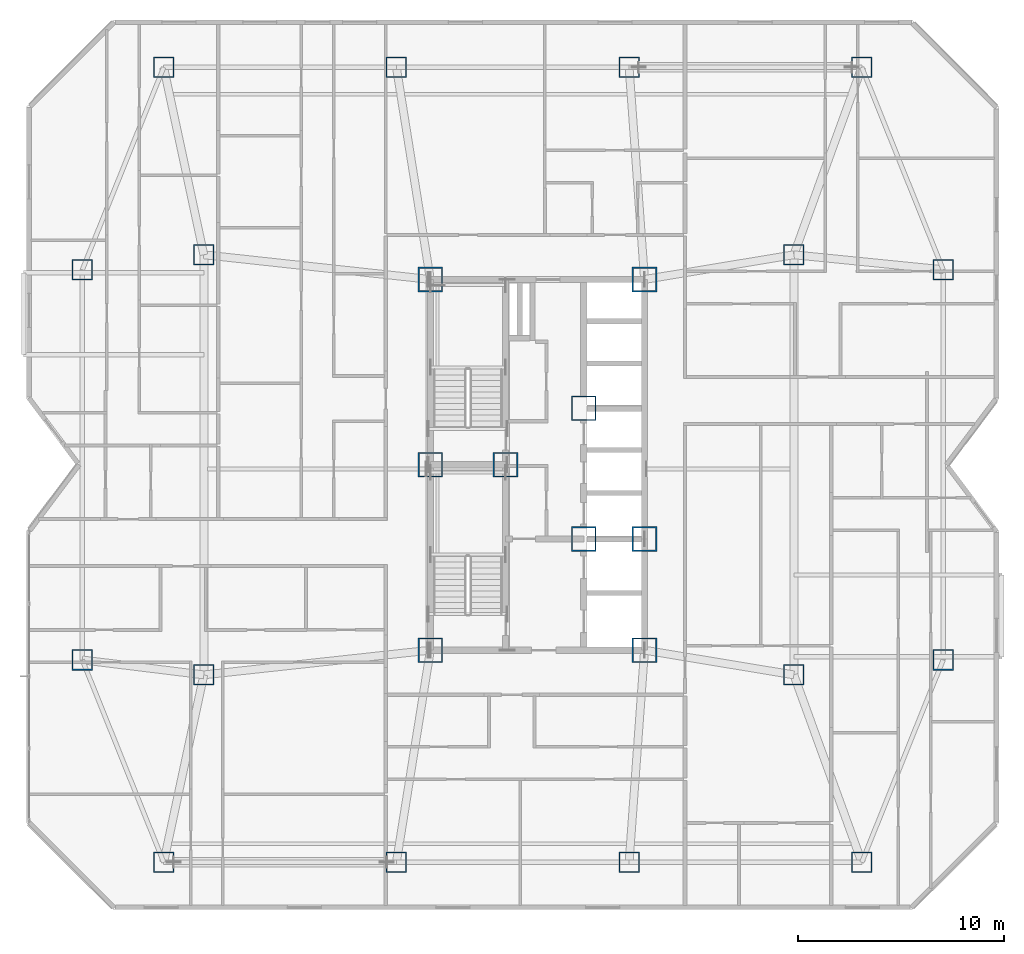
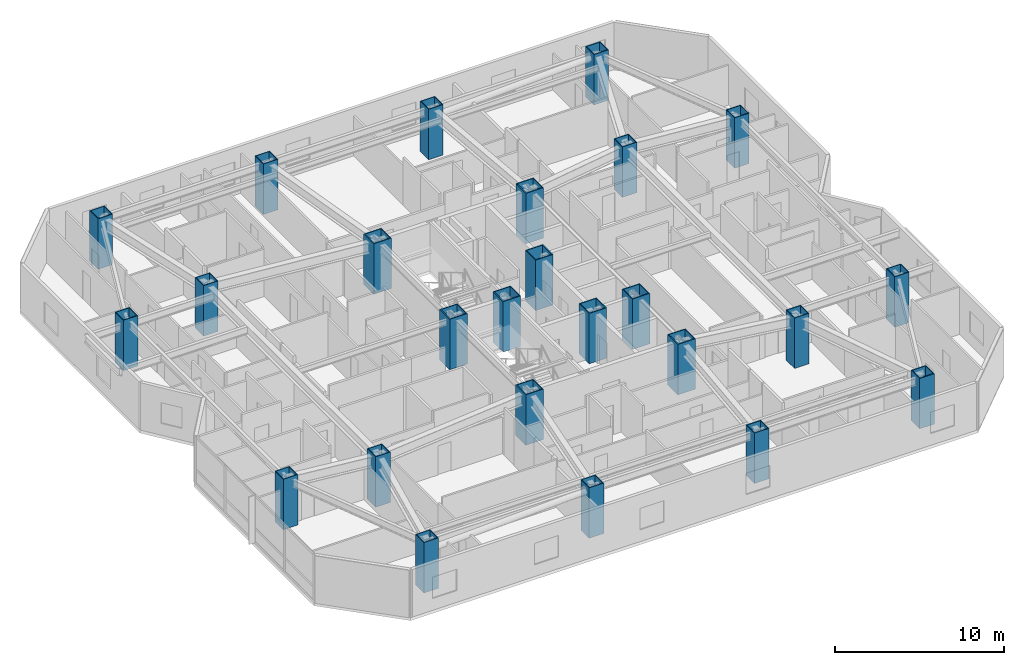
# One storey, part 1 of 19: 25 columns.
"""IFC4 building model written with IfcOpenShell, lengths in metres."""

from ifc_helpers import new_model, si_unit, direction, frame, origin, origin_2d, place, context, subcontext, project, spatial, hollow_rectangle, extrude, material, material_profile, profile_set, type_object, element, save


model = new_model("IFC4")

# Units and contexts
model_context = context("Model", 3, precision=1e-05, world=origin(), true_north=direction((0.0, 1.0)))
body_context = subcontext(model_context, "Body", "Model", "MODEL_VIEW")
ifc_project = project(units=[si_unit("LENGTHUNIT", "METRE"), si_unit("AREAUNIT", "SQUARE_METRE"), si_unit("VOLUMEUNIT", "CUBIC_METRE"), si_unit("PLANEANGLEUNIT", "RADIAN"), si_unit("MASSUNIT", "GRAM", prefix="KILO")], contexts=[model_context])

# Site, building, storey
site_placement = place(None, origin())
site = spatial("IfcSite", under=ifc_project, at=site_placement, CompositionType="ELEMENT")
building_placement = place(site_placement, origin())
building = spatial("IfcBuilding", under=site, at=building_placement, Name="Khamvora Tower", CompositionType="ELEMENT")
storey_placement = place(building_placement, frame((0.0, 0.0, 120.14990234375)))
storey = spatial("IfcBuildingStorey", under=building, at=storey_placement, Name="L30", CompositionType="ELEMENT", Elevation=120.14990234375)

# Columns
ifc_material_1 = material(Name="Steel S355", Category="steel")
ifc_material_profile_1 = material_profile(ifc_material_1, hollow_rectangle(XDim=1.0, YDim=1.0, WallThickness=0.050048828125, at=origin_2d()), Name="BOX1000x1000x50")
ifc_profile_set_1 = profile_set([ifc_material_profile_1], Name="Steel S355")
column_type_1 = type_object("IfcColumnType", Name="COL-BOX1000", PredefinedType="COLUMN", material=ifc_profile_set_1)
for number, where, z_axis, x_axis, name in (
    (1, (16.050048828125, 8.699951171875, 0.0), (0.0, 0.0, 1.0), (1.0, 0.0, 0.0), "L30 structural frame column S1"),
    (2, (27.35009765625, 8.699951171875, 0.0), (0.0, 0.0, 1.0), (1.0, 0.0, 0.0), "L30 structural frame column S2"),
    (3, (38.64990234375, 8.699951171875, 0.0), (0.0, 0.0, 1.0), (1.0, 0.0, 0.0), "L30 structural frame column S3"),
    (4, (49.949951171875, 8.699951171875, 0.0), (0.0, 0.0, 1.0), (1.0, 0.0, 0.0), "L30 structural frame column S4"),
    (5, (16.050048828125, 47.300048828125, 0.0), (0.0, 0.0, 1.0), (1.0, 0.0, 0.0), "L30 structural frame column N1"),
    (6, (27.35009765625, 47.300048828125, 0.0), (0.0, 0.0, 1.0), (1.0, 0.0, 0.0), "L30 structural frame column N2"),
    (7, (38.64990234375, 47.300048828125, 0.0), (0.0, 0.0, 1.0), (1.0, 0.0, 0.0), "L30 structural frame column N3"),
    (8, (49.949951171875, 47.300048828125, 0.0), (0.0, 0.0, 1.0), (1.0, 0.0, 0.0), "L30 structural frame column N4"),
    (9, (12.10009765625, 18.52490234375, 0.0), (0.0, 0.0, 1.0), (1.0, 0.0, 0.0), "L30 structural frame column W1"),
    (10, (12.10009765625, 37.47509765625, 0.0), (0.0, 0.0, 1.0), (1.0, 0.0, 0.0), "L30 structural frame column W2"),
    (11, (53.89990234375, 18.52490234375, 0.0), (0.0, 0.0, 1.0), (1.0, 0.0, 0.0), "L30 structural frame column E1"),
    (12, (53.89990234375, 37.47509765625, 0.0), (0.0, 0.0, 1.0), (1.0, 0.0, 0.0), "L30 structural frame column E2"),
    (13, (18.0, 17.800048828125, 0.0), (0.0, 0.0, 1.0), (1.0, 0.0, 0.0), "L30 structural frame column MW1"),
    (14, (18.0, 38.199951171875, 0.0), (0.0, 0.0, 1.0), (1.0, 0.0, 0.0), "L30 structural frame column MW2"),
    (15, (46.64990234375, 17.800048828125, 0.0), (0.0, 0.0, 1.0), (1.0, 0.0, 0.0), "L30 structural frame column M1"),
    (16, (46.64990234375, 38.199951171875, 0.0), (0.0, 0.0, 1.0), (1.0, 0.0, 0.0), "L30 structural frame column M2"),
):
    element("IfcColumn", number, at=place(storey_placement, frame(where, z_axis=z_axis, x_axis=x_axis)), inside=storey, type_object=column_type_1, Name=name, PredefinedType="COLUMN", context=body_context, shape_type="SweptSolid", body=[
        extrude(hollow_rectangle(XDim=1.0, YDim=1.0, WallThickness=0.050048828125, at=origin_2d()), origin(), (0.0, 0.0, 1.0), 3.650146484375),
    ])
ifc_material_2 = material(Name="Steel S460", Category="steel")
ifc_material_profile_2 = material_profile(ifc_material_2, hollow_rectangle(XDim=1.199951171875, YDim=1.199951171875, WallThickness=0.06005859375, at=origin_2d()), Name="BOX1200x1200x60")
ifc_profile_set_2 = profile_set([ifc_material_profile_2], Name="Steel S460")
column_type_2 = type_object("IfcColumnType", Name="COL-BOX1200", PredefinedType="COLUMN", material=ifc_profile_set_2)
for number, where, z_axis, x_axis, name in (
    (17, (29.0, 19.0, 0.0), (0.0, 0.0, 1.0), (1.0, 0.0, 0.0), "L30 plumb core spine column SC1"),
    (18, (32.64990234375, 28.0, 0.0), (0.0, 0.0, 1.0), (1.0, 0.0, 0.0), "L30 plumb core spine column SC2"),
    (19, (39.39990234375, 19.0, 0.0), (0.0, 0.0, 1.0), (1.0, 0.0, 0.0), "L30 plumb core spine column SC3"),
    (20, (29.0, 28.0, 0.0), (0.0, 0.0, 1.0), (1.0, 0.0, 0.0), "L30 plumb core spine column SC4"),
    (21, (36.449951171875, 24.39990234375, 0.0), (0.0, 0.0, 1.0), (1.0, 0.0, 0.0), "L30 plumb core spine column SC5"),
    (22, (39.39990234375, 24.39990234375, 0.0), (0.0, 0.0, 1.0), (1.0, 0.0, 0.0), "L30 plumb core spine column SC6"),
    (23, (29.0, 37.0, 0.0), (0.0, 0.0, 1.0), (1.0, 0.0, 0.0), "L30 plumb core spine column SC7"),
    (24, (36.449951171875, 30.75, 0.0), (0.0, 0.0, 1.0), (1.0, 0.0, 0.0), "L30 plumb core spine column SC8"),
    (25, (39.39990234375, 37.0, 0.0), (0.0, 0.0, 1.0), (1.0, 0.0, 0.0), "L30 plumb core spine column SC9"),
):
    element("IfcColumn", number, at=place(storey_placement, frame(where, z_axis=z_axis, x_axis=x_axis)), inside=storey, type_object=column_type_2, Name=name, PredefinedType="COLUMN", context=body_context, shape_type="SweptSolid", body=[
        extrude(hollow_rectangle(XDim=1.199951171875, YDim=1.199951171875, WallThickness=0.06005859375, at=origin_2d()), origin(), (0.0, 0.0, 1.0), 3.650146484375),
    ])

save(model, "model.ifc")
